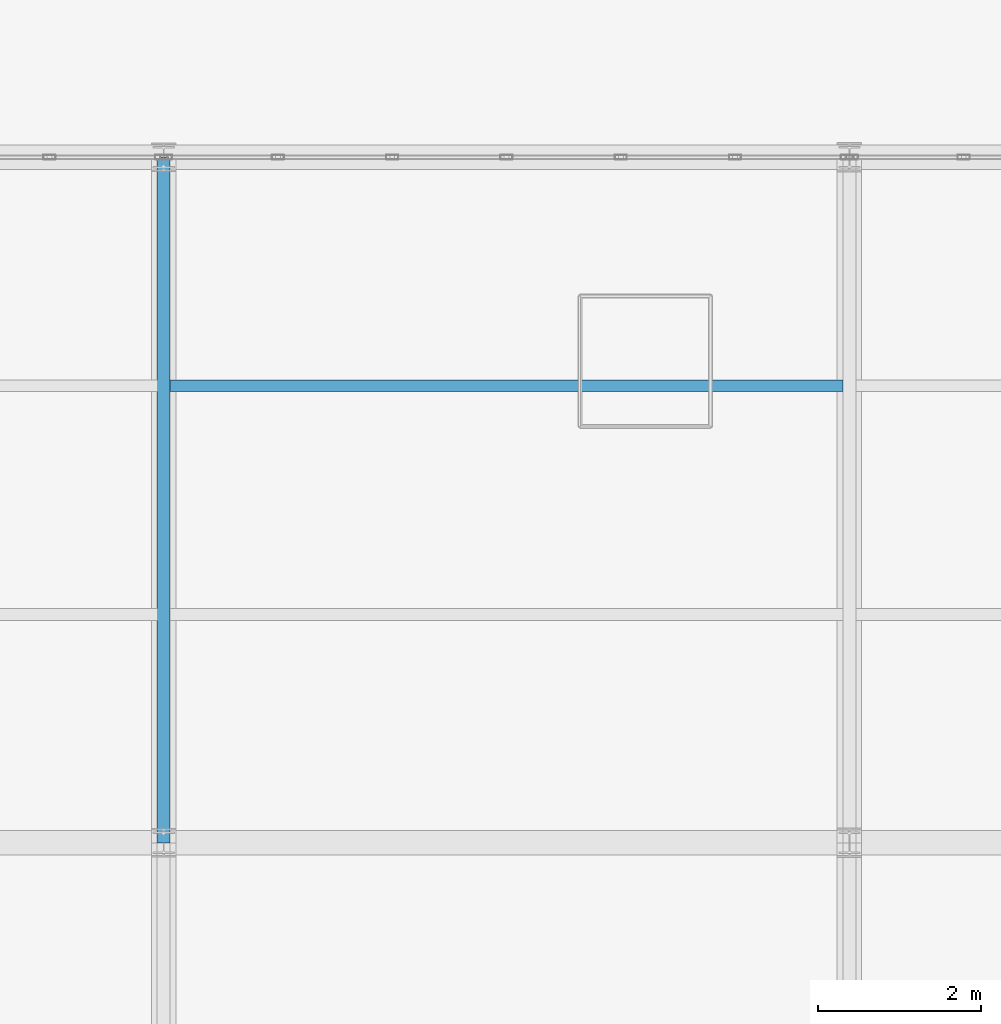
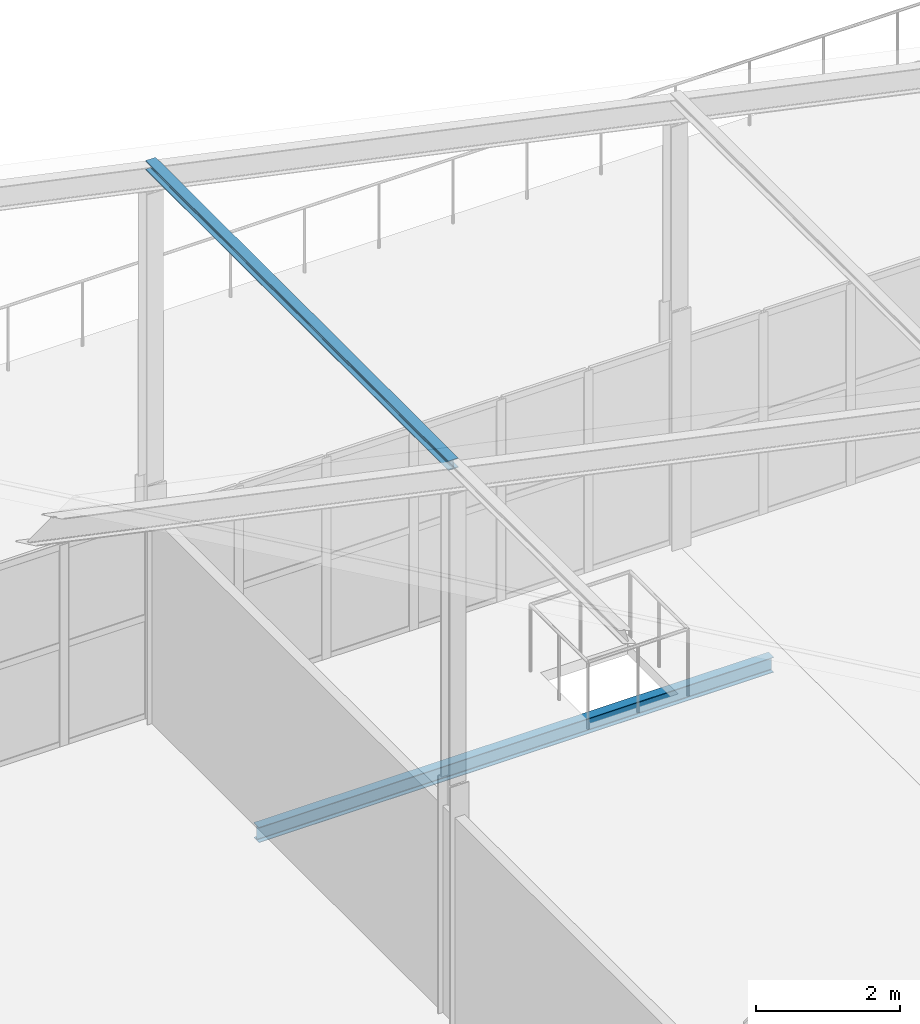
# One storey, part 107 of 184: 1 beam, 1 member.
"""IFC4 building model written with IfcOpenShell, lengths in metres."""

from ifc_helpers import new_model, si_unit, direction, frame, origin, origin_2d, place, context, subcontext, project, spatial, i_section, extrude, material, material_profile, profile_set, type_object, element, save


model = new_model("IFC4")

# Units and contexts
model_context = context("Model", 3, precision=1e-05, world=origin(), true_north=direction((0.0, 1.0)))
body_context = subcontext(model_context, "Body", "Model", "MODEL_VIEW")
ifc_project = project(units=[si_unit("LENGTHUNIT", "METRE"), si_unit("AREAUNIT", "SQUARE_METRE"), si_unit("VOLUMEUNIT", "CUBIC_METRE"), si_unit("PLANEANGLEUNIT", "RADIAN"), si_unit("MASSUNIT", "GRAM", prefix="KILO")], contexts=[model_context])

# Site, building, storey
site_placement = place(None, origin())
site = spatial("IfcSite", under=ifc_project, at=site_placement, CompositionType="ELEMENT")
building_placement = place(site_placement, origin())
building = spatial("IfcBuilding", under=site, at=building_placement, Name="Qalvenar Corner Mobility Hub", CompositionType="ELEMENT")
storey_placement = place(building_placement, frame((0.0, 0.0, 9.0)))
storey = spatial("IfcBuildingStorey", under=building, at=storey_placement, Name="L02", CompositionType="ELEMENT", Elevation=9.0)

# Beam
ifc_material = material(Name="Steel S355", Category="steel")
ifc_material_profile_1 = material_profile(ifc_material, i_section(OverallWidth=0.14599609375, OverallDepth=0.258056640625, WebThickness=0.006103515625, FlangeThickness=0.009033203125, FilletRadius=0.011962890625, at=origin_2d()), Name="W250x32.7")
ifc_profile_set_1 = profile_set([ifc_material_profile_1], Name="Steel S355")
beam_type = type_object("IfcBeamType", Name="BM-JST250", PredefinedType="JOIST", material=ifc_profile_set_1)
beam_placement = place(storey_placement, frame((8.47802734375, 81.199951171875, -0.30908203125), z_axis=(1.0, 0.0, 0.0), x_axis=(0.0, 1.0, 0.0)))
element("IfcBeam", 1, at=beam_placement, inside=storey, type_object=beam_type, Name="Composite Floor Joist J-1881", PredefinedType="JOIST", context=body_context, shape_type="SweptSolid", body=[
    extrude(i_section(OverallWidth=0.14599609375, OverallDepth=0.258056640625, WebThickness=0.006103515625, FlangeThickness=0.009033203125, FilletRadius=0.011962890625, at=origin_2d()), origin(), (0.0, 0.0, 1.0), 8.243896484375),
])

# Member
ifc_material_profile_2 = material_profile(ifc_material, i_section(OverallWidth=0.159912109375, OverallDepth=0.159912109375, WebThickness=0.008056640625, FlangeThickness=0.012939453125, FilletRadius=0.014892578125, at=origin_2d()), Name="HEB160")
ifc_profile_set_2 = profile_set([ifc_material_profile_2], Name="Steel S355")
member_type = type_object("IfcMemberType", Name="PR-RHS160", PredefinedType="PURLIN", material=ifc_profile_set_2)
member_placement = place(storey_placement, frame((8.39990234375, 75.60009765625, 9.35009765625), z_axis=(0.0, 1.0, 0.0), x_axis=(-1.0, 0.0, 0.0)))
element("IfcMember", 2, at=member_placement, inside=storey, type_object=member_type, Name="Bicycle Hall Roof Purlin PR-V5-5-8", PredefinedType="PURLIN", context=body_context, shape_type="SweptSolid", body=[
    extrude(i_section(OverallWidth=0.159912109375, OverallDepth=0.159912109375, WebThickness=0.008056640625, FlangeThickness=0.012939453125, FilletRadius=0.014892578125, at=origin_2d()), origin(), (0.0, 0.0, 1.0), 8.39990234375),
])

save(model, "model.ifc")
